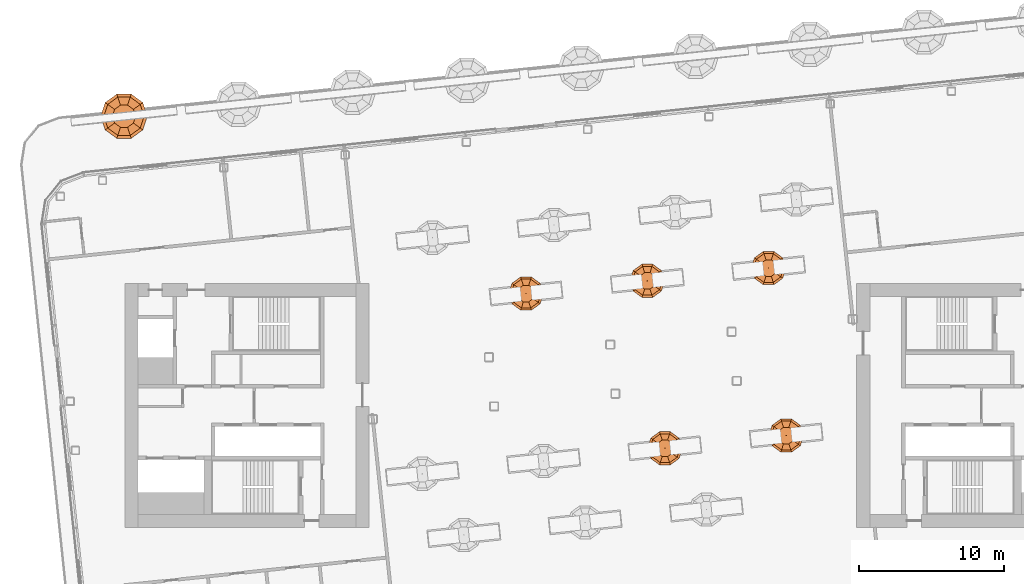
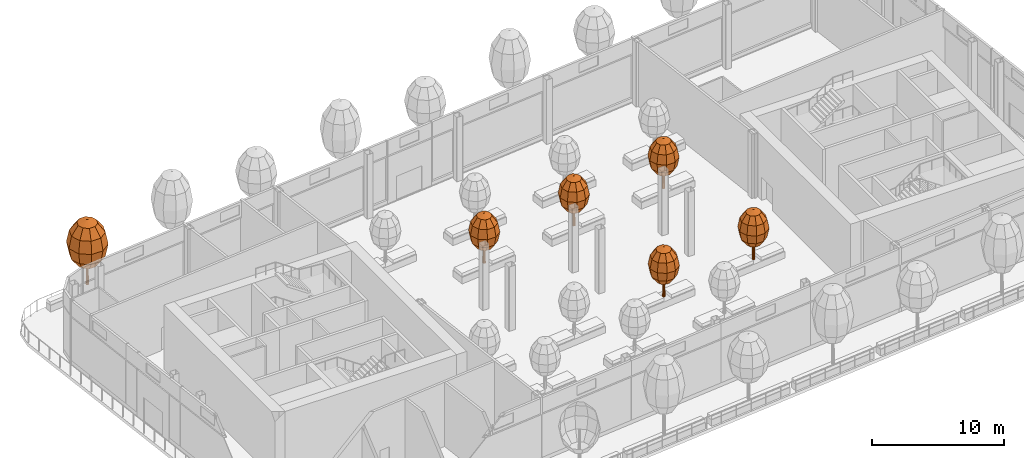
# One storey, part 39 of 42: 6 geographic elements.
"""IFC4 building model written with IfcOpenShell, lengths in metres."""

from ifc_helpers import new_model, si_unit, direction, frame, origin, place, context, subcontext, project, spatial, triangles, material, type_object, element, save


model = new_model("IFC4")

# Units and contexts
model_context = context("Model", 3, precision=1e-05, world=origin(), true_north=direction((0.0, 1.0)))
body_context = subcontext(model_context, "Body", "Model", "MODEL_VIEW")
ifc_project = project(units=[si_unit("LENGTHUNIT", "METRE"), si_unit("AREAUNIT", "SQUARE_METRE"), si_unit("VOLUMEUNIT", "CUBIC_METRE"), si_unit("PLANEANGLEUNIT", "RADIAN"), si_unit("MASSUNIT", "GRAM", prefix="KILO")], contexts=[model_context])

# Site, building, storey
site_placement = place(None, origin())
site = spatial("IfcSite", under=ifc_project, at=site_placement, CompositionType="ELEMENT")
building_placement = place(site_placement, origin())
building = spatial("IfcBuilding", under=site, at=building_placement, Name="Hakoniwa Tower and Hamabe Station Hall", CompositionType="ELEMENT")
storey_placement = place(building_placement, frame((0.0, 0.0, 232.60009765625)))
storey = spatial("IfcBuildingStorey", under=building, at=storey_placement, Name="L66", CompositionType="ELEMENT", Elevation=232.60009765625)

# Geographic elements
ifc_material_1 = material(Name="Tree foliage")
geographic_element_type_1 = type_object("IfcGeographicElementType", Name="Camellia 4.6 m", PredefinedType="USERDEFINED", material=ifc_material_1)
geographic_element_1_placement = place(storey_placement, frame((-5.9765625, 7.703857421875, 0.599853515625)))
element("IfcGeographicElement", 1, at=geographic_element_1_placement, inside=storey, type_object=geographic_element_type_1, Name="Camellia 4-6 m", ObjectType="TREE", PredefinedType="USERDEFINED", context=body_context, shape_type="Tessellation", body=[
    triangles([(0.125, 0.0, 0.0), (0.08837890625, 0.08837890625, 0.0), (0.0, 0.125, 0.0), (-0.08837890625, 0.08837890625, 0.0), (-0.125, 0.0, 0.0), (-0.08837890625, -0.08837890625, 0.0), (0.0, -0.125, 0.0), (0.08837890625, -0.08837890625, 0.0), (0.074951171875, 0.0, 2.778564453125), (0.052978515625, 0.052978515625, 2.778564453125), (0.0, 0.074951171875, 2.778564453125), (-0.052978515625, 0.052978515625, 2.778564453125), (-0.074951171875, 0.0, 2.778564453125), (-0.052978515625, -0.052978515625, 2.778564453125), (0.0, -0.074951171875, 2.778564453125), (0.052978515625, -0.052978515625, 2.778564453125), (0.0, 0.0, 0.0), (0.0, 0.0, 2.778564453125)], [[1, 2, 10], [1, 10, 9], [17, 2, 1], [18, 9, 10], [2, 3, 11], [2, 11, 10], [17, 3, 2], [18, 10, 11], [3, 4, 12], [3, 12, 11], [17, 4, 3], [18, 11, 12], [4, 5, 13], [4, 13, 12], [17, 5, 4], [18, 12, 13], [5, 6, 14], [5, 14, 13], [17, 6, 5], [18, 13, 14], [6, 7, 15], [6, 15, 14], [17, 7, 6], [18, 14, 15], [7, 8, 16], [7, 16, 15], [17, 8, 7], [18, 15, 16], [8, 1, 9], [8, 9, 16], [17, 1, 8], [18, 16, 9]], closed=True),
    triangles([(0.0, 0.0, 1.2880859375), (0.599853515625, 0.0, 1.510009765625), (0.4853515625, 0.3525390625, 1.510009765625), (0.185302734375, 0.570556640625, 1.510009765625), (-0.185302734375, 0.570556640625, 1.510009765625), (-0.4853515625, 0.3525390625, 1.510009765625), (-0.599853515625, 0.0, 1.510009765625), (-0.4853515625, -0.3525390625, 1.510009765625), (-0.185302734375, -0.570556640625, 1.510009765625), (0.185302734375, -0.570556640625, 1.510009765625), (0.4853515625, -0.3525390625, 1.510009765625), (1.039306640625, 0.0, 2.115966796875), (0.8408203125, 0.61083984375, 2.115966796875), (0.321044921875, 0.98828125, 2.115966796875), (-0.321044921875, 0.98828125, 2.115966796875), (-0.8408203125, 0.61083984375, 2.115966796875), (-1.039306640625, 0.0, 2.115966796875), (-0.8408203125, -0.61083984375, 2.115966796875), (-0.321044921875, -0.98828125, 2.115966796875), (0.321044921875, -0.98828125, 2.115966796875), (0.8408203125, -0.61083984375, 2.115966796875), (1.199951171875, 0.0, 2.944091796875), (0.970703125, 0.705322265625, 2.944091796875), (0.370849609375, 1.14111328125, 2.944091796875), (-0.370849609375, 1.14111328125, 2.944091796875), (-0.970703125, 0.705322265625, 2.944091796875), (-1.199951171875, 0.0, 2.944091796875), (-0.970703125, -0.705322265625, 2.944091796875), (-0.370849609375, -1.14111328125, 2.944091796875), (0.370849609375, -1.14111328125, 2.944091796875), (0.970703125, -0.705322265625, 2.944091796875), (1.039306640625, 0.0, 3.77197265625), (0.8408203125, 0.61083984375, 3.77197265625), (0.321044921875, 0.98828125, 3.77197265625), (-0.321044921875, 0.98828125, 3.77197265625), (-0.8408203125, 0.61083984375, 3.77197265625), (-1.039306640625, 0.0, 3.77197265625), (-0.8408203125, -0.61083984375, 3.77197265625), (-0.321044921875, -0.98828125, 3.77197265625), (0.321044921875, -0.98828125, 3.77197265625), (0.8408203125, -0.61083984375, 3.77197265625), (0.599853515625, 0.0, 4.378173828125), (0.4853515625, 0.3525390625, 4.378173828125), (0.185302734375, 0.570556640625, 4.378173828125), (-0.185302734375, 0.570556640625, 4.378173828125), (-0.4853515625, 0.3525390625, 4.378173828125), (-0.599853515625, 0.0, 4.378173828125), (-0.4853515625, -0.3525390625, 4.378173828125), (-0.185302734375, -0.570556640625, 4.378173828125), (0.185302734375, -0.570556640625, 4.378173828125), (0.4853515625, -0.3525390625, 4.378173828125), (0.0, 0.0, 4.60009765625)], [[1, 3, 2], [1, 4, 3], [1, 5, 4], [1, 6, 5], [1, 7, 6], [1, 8, 7], [1, 9, 8], [1, 10, 9], [1, 11, 10], [1, 2, 11], [2, 3, 13], [2, 13, 12], [3, 4, 14], [3, 14, 13], [4, 5, 15], [4, 15, 14], [5, 6, 16], [5, 16, 15], [6, 7, 17], [6, 17, 16], [7, 8, 18], [7, 18, 17], [8, 9, 19], [8, 19, 18], [9, 10, 20], [9, 20, 19], [10, 11, 21], [10, 21, 20], [11, 2, 12], [11, 12, 21], [12, 13, 23], [12, 23, 22], [13, 14, 24], [13, 24, 23], [14, 15, 25], [14, 25, 24], [15, 16, 26], [15, 26, 25], [16, 17, 27], [16, 27, 26], [17, 18, 28], [17, 28, 27], [18, 19, 29], [18, 29, 28], [19, 20, 30], [19, 30, 29], [20, 21, 31], [20, 31, 30], [21, 12, 22], [21, 22, 31], [22, 23, 33], [22, 33, 32], [23, 24, 34], [23, 34, 33], [24, 25, 35], [24, 35, 34], [25, 26, 36], [25, 36, 35], [26, 27, 37], [26, 37, 36], [27, 28, 38], [27, 38, 37], [28, 29, 39], [28, 39, 38], [29, 30, 40], [29, 40, 39], [30, 31, 41], [30, 41, 40], [31, 22, 32], [31, 32, 41], [32, 33, 43], [32, 43, 42], [33, 34, 44], [33, 44, 43], [34, 35, 45], [34, 45, 44], [35, 36, 46], [35, 46, 45], [36, 37, 47], [36, 47, 46], [37, 38, 48], [37, 48, 47], [38, 39, 49], [38, 49, 48], [39, 40, 50], [39, 50, 49], [40, 41, 51], [40, 51, 50], [41, 32, 42], [41, 42, 51], [52, 42, 43], [52, 43, 44], [52, 44, 45], [52, 45, 46], [52, 46, 47], [52, 47, 48], [52, 48, 49], [52, 49, 50], [52, 50, 51], [52, 51, 42]], closed=True),
])
geographic_element_2_placement = place(storey_placement, frame((2.377197265625, 8.581787109375, 0.599853515625)))
element("IfcGeographicElement", 2, at=geographic_element_2_placement, inside=storey, type_object=geographic_element_type_1, Name="Camellia 4-6 m", ObjectType="TREE", PredefinedType="USERDEFINED", context=body_context, shape_type="Tessellation", body=[
    triangles([(0.125, 0.0, 0.0), (0.08837890625, 0.08837890625, 0.0), (0.0, 0.125, 0.0), (-0.08837890625, 0.08837890625, 0.0), (-0.125, 0.0, 0.0), (-0.08837890625, -0.08837890625, 0.0), (0.0, -0.125, 0.0), (0.08837890625, -0.08837890625, 0.0), (0.074951171875, 0.0, 2.778564453125), (0.052978515625, 0.052978515625, 2.778564453125), (0.0, 0.074951171875, 2.778564453125), (-0.052978515625, 0.052978515625, 2.778564453125), (-0.074951171875, 0.0, 2.778564453125), (-0.052978515625, -0.052978515625, 2.778564453125), (0.0, -0.074951171875, 2.778564453125), (0.052978515625, -0.052978515625, 2.778564453125), (0.0, 0.0, 0.0), (0.0, 0.0, 2.778564453125)], [[1, 2, 10], [1, 10, 9], [17, 2, 1], [18, 9, 10], [2, 3, 11], [2, 11, 10], [17, 3, 2], [18, 10, 11], [3, 4, 12], [3, 12, 11], [17, 4, 3], [18, 11, 12], [4, 5, 13], [4, 13, 12], [17, 5, 4], [18, 12, 13], [5, 6, 14], [5, 14, 13], [17, 6, 5], [18, 13, 14], [6, 7, 15], [6, 15, 14], [17, 7, 6], [18, 14, 15], [7, 8, 16], [7, 16, 15], [17, 8, 7], [18, 15, 16], [8, 1, 9], [8, 9, 16], [17, 1, 8], [18, 16, 9]], closed=True),
    triangles([(0.0, 0.0, 1.2880859375), (0.599853515625, 0.0, 1.510009765625), (0.4853515625, 0.3525390625, 1.510009765625), (0.185302734375, 0.570556640625, 1.510009765625), (-0.185302734375, 0.570556640625, 1.510009765625), (-0.4853515625, 0.3525390625, 1.510009765625), (-0.599853515625, 0.0, 1.510009765625), (-0.4853515625, -0.3525390625, 1.510009765625), (-0.185302734375, -0.570556640625, 1.510009765625), (0.185302734375, -0.570556640625, 1.510009765625), (0.4853515625, -0.3525390625, 1.510009765625), (1.039306640625, 0.0, 2.115966796875), (0.8408203125, 0.61083984375, 2.115966796875), (0.321044921875, 0.98828125, 2.115966796875), (-0.321044921875, 0.98828125, 2.115966796875), (-0.8408203125, 0.61083984375, 2.115966796875), (-1.039306640625, 0.0, 2.115966796875), (-0.8408203125, -0.61083984375, 2.115966796875), (-0.321044921875, -0.98828125, 2.115966796875), (0.321044921875, -0.98828125, 2.115966796875), (0.8408203125, -0.61083984375, 2.115966796875), (1.199951171875, 0.0, 2.944091796875), (0.970703125, 0.705322265625, 2.944091796875), (0.370849609375, 1.14111328125, 2.944091796875), (-0.370849609375, 1.14111328125, 2.944091796875), (-0.970703125, 0.705322265625, 2.944091796875), (-1.199951171875, 0.0, 2.944091796875), (-0.970703125, -0.705322265625, 2.944091796875), (-0.370849609375, -1.14111328125, 2.944091796875), (0.370849609375, -1.14111328125, 2.944091796875), (0.970703125, -0.705322265625, 2.944091796875), (1.039306640625, 0.0, 3.77197265625), (0.8408203125, 0.61083984375, 3.77197265625), (0.321044921875, 0.98828125, 3.77197265625), (-0.321044921875, 0.98828125, 3.77197265625), (-0.8408203125, 0.61083984375, 3.77197265625), (-1.039306640625, 0.0, 3.77197265625), (-0.8408203125, -0.61083984375, 3.77197265625), (-0.321044921875, -0.98828125, 3.77197265625), (0.321044921875, -0.98828125, 3.77197265625), (0.8408203125, -0.61083984375, 3.77197265625), (0.599853515625, 0.0, 4.378173828125), (0.4853515625, 0.3525390625, 4.378173828125), (0.185302734375, 0.570556640625, 4.378173828125), (-0.185302734375, 0.570556640625, 4.378173828125), (-0.4853515625, 0.3525390625, 4.378173828125), (-0.599853515625, 0.0, 4.378173828125), (-0.4853515625, -0.3525390625, 4.378173828125), (-0.185302734375, -0.570556640625, 4.378173828125), (0.185302734375, -0.570556640625, 4.378173828125), (0.4853515625, -0.3525390625, 4.378173828125), (0.0, 0.0, 4.60009765625)], [[1, 3, 2], [1, 4, 3], [1, 5, 4], [1, 6, 5], [1, 7, 6], [1, 8, 7], [1, 9, 8], [1, 10, 9], [1, 11, 10], [1, 2, 11], [2, 3, 13], [2, 13, 12], [3, 4, 14], [3, 14, 13], [4, 5, 15], [4, 15, 14], [5, 6, 16], [5, 16, 15], [6, 7, 17], [6, 17, 16], [7, 8, 18], [7, 18, 17], [8, 9, 19], [8, 19, 18], [9, 10, 20], [9, 20, 19], [10, 11, 21], [10, 21, 20], [11, 2, 12], [11, 12, 21], [12, 13, 23], [12, 23, 22], [13, 14, 24], [13, 24, 23], [14, 15, 25], [14, 25, 24], [15, 16, 26], [15, 26, 25], [16, 17, 27], [16, 27, 26], [17, 18, 28], [17, 28, 27], [18, 19, 29], [18, 29, 28], [19, 20, 30], [19, 30, 29], [20, 21, 31], [20, 31, 30], [21, 12, 22], [21, 22, 31], [22, 23, 33], [22, 33, 32], [23, 24, 34], [23, 34, 33], [24, 25, 35], [24, 35, 34], [25, 26, 36], [25, 36, 35], [26, 27, 37], [26, 37, 36], [27, 28, 38], [27, 38, 37], [28, 29, 39], [28, 39, 38], [29, 30, 40], [29, 40, 39], [30, 31, 41], [30, 41, 40], [31, 22, 32], [31, 32, 41], [32, 33, 43], [32, 43, 42], [33, 34, 44], [33, 44, 43], [34, 35, 45], [34, 45, 44], [35, 36, 46], [35, 46, 45], [36, 37, 47], [36, 47, 46], [37, 38, 48], [37, 48, 47], [38, 39, 49], [38, 49, 48], [39, 40, 50], [39, 50, 49], [40, 41, 51], [40, 51, 50], [41, 32, 42], [41, 42, 51], [52, 42, 43], [52, 43, 44], [52, 44, 45], [52, 45, 46], [52, 46, 47], [52, 47, 48], [52, 48, 49], [52, 49, 50], [52, 50, 51], [52, 51, 42]], closed=True),
])
geographic_element_3_placement = place(storey_placement, frame((10.731201171875, 9.4599609375, 0.599853515625)))
element("IfcGeographicElement", 3, at=geographic_element_3_placement, inside=storey, type_object=geographic_element_type_1, Name="Camellia 4-6 m", ObjectType="TREE", PredefinedType="USERDEFINED", context=body_context, shape_type="Tessellation", body=[
    triangles([(0.125, 0.0, 0.0), (0.08837890625, 0.08837890625, 0.0), (0.0, 0.125, 0.0), (-0.08837890625, 0.08837890625, 0.0), (-0.125, 0.0, 0.0), (-0.08837890625, -0.08837890625, 0.0), (0.0, -0.125, 0.0), (0.08837890625, -0.08837890625, 0.0), (0.074951171875, 0.0, 2.778564453125), (0.052978515625, 0.052978515625, 2.778564453125), (0.0, 0.074951171875, 2.778564453125), (-0.052978515625, 0.052978515625, 2.778564453125), (-0.074951171875, 0.0, 2.778564453125), (-0.052978515625, -0.052978515625, 2.778564453125), (0.0, -0.074951171875, 2.778564453125), (0.052978515625, -0.052978515625, 2.778564453125), (0.0, 0.0, 0.0), (0.0, 0.0, 2.778564453125)], [[1, 2, 10], [1, 10, 9], [17, 2, 1], [18, 9, 10], [2, 3, 11], [2, 11, 10], [17, 3, 2], [18, 10, 11], [3, 4, 12], [3, 12, 11], [17, 4, 3], [18, 11, 12], [4, 5, 13], [4, 13, 12], [17, 5, 4], [18, 12, 13], [5, 6, 14], [5, 14, 13], [17, 6, 5], [18, 13, 14], [6, 7, 15], [6, 15, 14], [17, 7, 6], [18, 14, 15], [7, 8, 16], [7, 16, 15], [17, 8, 7], [18, 15, 16], [8, 1, 9], [8, 9, 16], [17, 1, 8], [18, 16, 9]], closed=True),
    triangles([(0.0, 0.0, 1.2880859375), (0.599853515625, 0.0, 1.510009765625), (0.4853515625, 0.3525390625, 1.510009765625), (0.185302734375, 0.570556640625, 1.510009765625), (-0.185302734375, 0.570556640625, 1.510009765625), (-0.4853515625, 0.3525390625, 1.510009765625), (-0.599853515625, 0.0, 1.510009765625), (-0.4853515625, -0.3525390625, 1.510009765625), (-0.185302734375, -0.570556640625, 1.510009765625), (0.185302734375, -0.570556640625, 1.510009765625), (0.4853515625, -0.3525390625, 1.510009765625), (1.039306640625, 0.0, 2.115966796875), (0.8408203125, 0.61083984375, 2.115966796875), (0.321044921875, 0.98828125, 2.115966796875), (-0.321044921875, 0.98828125, 2.115966796875), (-0.8408203125, 0.61083984375, 2.115966796875), (-1.039306640625, 0.0, 2.115966796875), (-0.8408203125, -0.61083984375, 2.115966796875), (-0.321044921875, -0.98828125, 2.115966796875), (0.321044921875, -0.98828125, 2.115966796875), (0.8408203125, -0.61083984375, 2.115966796875), (1.199951171875, 0.0, 2.944091796875), (0.970703125, 0.705322265625, 2.944091796875), (0.370849609375, 1.14111328125, 2.944091796875), (-0.370849609375, 1.14111328125, 2.944091796875), (-0.970703125, 0.705322265625, 2.944091796875), (-1.199951171875, 0.0, 2.944091796875), (-0.970703125, -0.705322265625, 2.944091796875), (-0.370849609375, -1.14111328125, 2.944091796875), (0.370849609375, -1.14111328125, 2.944091796875), (0.970703125, -0.705322265625, 2.944091796875), (1.039306640625, 0.0, 3.77197265625), (0.8408203125, 0.61083984375, 3.77197265625), (0.321044921875, 0.98828125, 3.77197265625), (-0.321044921875, 0.98828125, 3.77197265625), (-0.8408203125, 0.61083984375, 3.77197265625), (-1.039306640625, 0.0, 3.77197265625), (-0.8408203125, -0.61083984375, 3.77197265625), (-0.321044921875, -0.98828125, 3.77197265625), (0.321044921875, -0.98828125, 3.77197265625), (0.8408203125, -0.61083984375, 3.77197265625), (0.599853515625, 0.0, 4.378173828125), (0.4853515625, 0.3525390625, 4.378173828125), (0.185302734375, 0.570556640625, 4.378173828125), (-0.185302734375, 0.570556640625, 4.378173828125), (-0.4853515625, 0.3525390625, 4.378173828125), (-0.599853515625, 0.0, 4.378173828125), (-0.4853515625, -0.3525390625, 4.378173828125), (-0.185302734375, -0.570556640625, 4.378173828125), (0.185302734375, -0.570556640625, 4.378173828125), (0.4853515625, -0.3525390625, 4.378173828125), (0.0, 0.0, 4.60009765625)], [[1, 3, 2], [1, 4, 3], [1, 5, 4], [1, 6, 5], [1, 7, 6], [1, 8, 7], [1, 9, 8], [1, 10, 9], [1, 11, 10], [1, 2, 11], [2, 3, 13], [2, 13, 12], [3, 4, 14], [3, 14, 13], [4, 5, 15], [4, 15, 14], [5, 6, 16], [5, 16, 15], [6, 7, 17], [6, 17, 16], [7, 8, 18], [7, 18, 17], [8, 9, 19], [8, 19, 18], [9, 10, 20], [9, 20, 19], [10, 11, 21], [10, 21, 20], [11, 2, 12], [11, 12, 21], [12, 13, 23], [12, 23, 22], [13, 14, 24], [13, 24, 23], [14, 15, 25], [14, 25, 24], [15, 16, 26], [15, 26, 25], [16, 17, 27], [16, 27, 26], [17, 18, 28], [17, 28, 27], [18, 19, 29], [18, 29, 28], [19, 20, 30], [19, 30, 29], [20, 21, 31], [20, 31, 30], [21, 12, 22], [21, 22, 31], [22, 23, 33], [22, 33, 32], [23, 24, 34], [23, 34, 33], [24, 25, 35], [24, 35, 34], [25, 26, 36], [25, 36, 35], [26, 27, 37], [26, 37, 36], [27, 28, 38], [27, 38, 37], [28, 29, 39], [28, 39, 38], [29, 30, 40], [29, 40, 39], [30, 31, 41], [30, 41, 40], [31, 22, 32], [31, 32, 41], [32, 33, 43], [32, 43, 42], [33, 34, 44], [33, 44, 43], [34, 35, 45], [34, 45, 44], [35, 36, 46], [35, 46, 45], [36, 37, 47], [36, 47, 46], [37, 38, 48], [37, 48, 47], [38, 39, 49], [38, 49, 48], [39, 40, 50], [39, 50, 49], [40, 41, 51], [40, 51, 50], [41, 32, 42], [41, 42, 51], [52, 42, 43], [52, 43, 44], [52, 44, 45], [52, 45, 46], [52, 46, 47], [52, 47, 48], [52, 48, 49], [52, 49, 50], [52, 50, 51], [52, 51, 42]], closed=True),
])
geographic_element_4_placement = place(storey_placement, frame((3.58984375, -2.95458984375, 0.599853515625)))
element("IfcGeographicElement", 4, at=geographic_element_4_placement, inside=storey, type_object=geographic_element_type_1, Name="Camellia 4-6 m", ObjectType="TREE", PredefinedType="USERDEFINED", context=body_context, shape_type="Tessellation", body=[
    triangles([(0.125, 0.0, 0.0), (0.08837890625, 0.08837890625, 0.0), (0.0, 0.125, 0.0), (-0.08837890625, 0.08837890625, 0.0), (-0.125, 0.0, 0.0), (-0.08837890625, -0.08837890625, 0.0), (0.0, -0.125, 0.0), (0.08837890625, -0.08837890625, 0.0), (0.074951171875, 0.0, 2.778564453125), (0.052978515625, 0.052978515625, 2.778564453125), (0.0, 0.074951171875, 2.778564453125), (-0.052978515625, 0.052978515625, 2.778564453125), (-0.074951171875, 0.0, 2.778564453125), (-0.052978515625, -0.052978515625, 2.778564453125), (0.0, -0.074951171875, 2.778564453125), (0.052978515625, -0.052978515625, 2.778564453125), (0.0, 0.0, 0.0), (0.0, 0.0, 2.778564453125)], [[1, 2, 10], [1, 10, 9], [17, 2, 1], [18, 9, 10], [2, 3, 11], [2, 11, 10], [17, 3, 2], [18, 10, 11], [3, 4, 12], [3, 12, 11], [17, 4, 3], [18, 11, 12], [4, 5, 13], [4, 13, 12], [17, 5, 4], [18, 12, 13], [5, 6, 14], [5, 14, 13], [17, 6, 5], [18, 13, 14], [6, 7, 15], [6, 15, 14], [17, 7, 6], [18, 14, 15], [7, 8, 16], [7, 16, 15], [17, 8, 7], [18, 15, 16], [8, 1, 9], [8, 9, 16], [17, 1, 8], [18, 16, 9]], closed=True),
    triangles([(0.0, 0.0, 1.2880859375), (0.599853515625, 0.0, 1.510009765625), (0.4853515625, 0.3525390625, 1.510009765625), (0.185302734375, 0.570556640625, 1.510009765625), (-0.185302734375, 0.570556640625, 1.510009765625), (-0.4853515625, 0.3525390625, 1.510009765625), (-0.599853515625, 0.0, 1.510009765625), (-0.4853515625, -0.3525390625, 1.510009765625), (-0.185302734375, -0.570556640625, 1.510009765625), (0.185302734375, -0.570556640625, 1.510009765625), (0.4853515625, -0.3525390625, 1.510009765625), (1.039306640625, 0.0, 2.115966796875), (0.8408203125, 0.61083984375, 2.115966796875), (0.321044921875, 0.98828125, 2.115966796875), (-0.321044921875, 0.98828125, 2.115966796875), (-0.8408203125, 0.61083984375, 2.115966796875), (-1.039306640625, 0.0, 2.115966796875), (-0.8408203125, -0.61083984375, 2.115966796875), (-0.321044921875, -0.98828125, 2.115966796875), (0.321044921875, -0.98828125, 2.115966796875), (0.8408203125, -0.61083984375, 2.115966796875), (1.199951171875, 0.0, 2.944091796875), (0.970703125, 0.705322265625, 2.944091796875), (0.370849609375, 1.14111328125, 2.944091796875), (-0.370849609375, 1.14111328125, 2.944091796875), (-0.970703125, 0.705322265625, 2.944091796875), (-1.199951171875, 0.0, 2.944091796875), (-0.970703125, -0.705322265625, 2.944091796875), (-0.370849609375, -1.14111328125, 2.944091796875), (0.370849609375, -1.14111328125, 2.944091796875), (0.970703125, -0.705322265625, 2.944091796875), (1.039306640625, 0.0, 3.77197265625), (0.8408203125, 0.61083984375, 3.77197265625), (0.321044921875, 0.98828125, 3.77197265625), (-0.321044921875, 0.98828125, 3.77197265625), (-0.8408203125, 0.61083984375, 3.77197265625), (-1.039306640625, 0.0, 3.77197265625), (-0.8408203125, -0.61083984375, 3.77197265625), (-0.321044921875, -0.98828125, 3.77197265625), (0.321044921875, -0.98828125, 3.77197265625), (0.8408203125, -0.61083984375, 3.77197265625), (0.599853515625, 0.0, 4.378173828125), (0.4853515625, 0.3525390625, 4.378173828125), (0.185302734375, 0.570556640625, 4.378173828125), (-0.185302734375, 0.570556640625, 4.378173828125), (-0.4853515625, 0.3525390625, 4.378173828125), (-0.599853515625, 0.0, 4.378173828125), (-0.4853515625, -0.3525390625, 4.378173828125), (-0.185302734375, -0.570556640625, 4.378173828125), (0.185302734375, -0.570556640625, 4.378173828125), (0.4853515625, -0.3525390625, 4.378173828125), (0.0, 0.0, 4.60009765625)], [[1, 3, 2], [1, 4, 3], [1, 5, 4], [1, 6, 5], [1, 7, 6], [1, 8, 7], [1, 9, 8], [1, 10, 9], [1, 11, 10], [1, 2, 11], [2, 3, 13], [2, 13, 12], [3, 4, 14], [3, 14, 13], [4, 5, 15], [4, 15, 14], [5, 6, 16], [5, 16, 15], [6, 7, 17], [6, 17, 16], [7, 8, 18], [7, 18, 17], [8, 9, 19], [8, 19, 18], [9, 10, 20], [9, 20, 19], [10, 11, 21], [10, 21, 20], [11, 2, 12], [11, 12, 21], [12, 13, 23], [12, 23, 22], [13, 14, 24], [13, 24, 23], [14, 15, 25], [14, 25, 24], [15, 16, 26], [15, 26, 25], [16, 17, 27], [16, 27, 26], [17, 18, 28], [17, 28, 27], [18, 19, 29], [18, 29, 28], [19, 20, 30], [19, 30, 29], [20, 21, 31], [20, 31, 30], [21, 12, 22], [21, 22, 31], [22, 23, 33], [22, 33, 32], [23, 24, 34], [23, 34, 33], [24, 25, 35], [24, 35, 34], [25, 26, 36], [25, 36, 35], [26, 27, 37], [26, 37, 36], [27, 28, 38], [27, 38, 37], [28, 29, 39], [28, 39, 38], [29, 30, 40], [29, 40, 39], [30, 31, 41], [30, 41, 40], [31, 22, 32], [31, 32, 41], [32, 33, 43], [32, 43, 42], [33, 34, 44], [33, 44, 43], [34, 35, 45], [34, 45, 44], [35, 36, 46], [35, 46, 45], [36, 37, 47], [36, 47, 46], [37, 38, 48], [37, 48, 47], [38, 39, 49], [38, 49, 48], [39, 40, 50], [39, 50, 49], [40, 41, 51], [40, 51, 50], [41, 32, 42], [41, 42, 51], [52, 42, 43], [52, 43, 44], [52, 44, 45], [52, 45, 46], [52, 46, 47], [52, 47, 48], [52, 48, 49], [52, 49, 50], [52, 50, 51], [52, 51, 42]], closed=True),
])
geographic_element_5_placement = place(storey_placement, frame((11.94384765625, -2.07666015625, 0.599853515625)))
element("IfcGeographicElement", 5, at=geographic_element_5_placement, inside=storey, type_object=geographic_element_type_1, Name="Camellia 4-6 m", ObjectType="TREE", PredefinedType="USERDEFINED", context=body_context, shape_type="Tessellation", body=[
    triangles([(0.125, 0.0, 0.0), (0.08837890625, 0.08837890625, 0.0), (0.0, 0.125, 0.0), (-0.08837890625, 0.08837890625, 0.0), (-0.125, 0.0, 0.0), (-0.08837890625, -0.08837890625, 0.0), (0.0, -0.125, 0.0), (0.08837890625, -0.08837890625, 0.0), (0.074951171875, 0.0, 2.778564453125), (0.052978515625, 0.052978515625, 2.778564453125), (0.0, 0.074951171875, 2.778564453125), (-0.052978515625, 0.052978515625, 2.778564453125), (-0.074951171875, 0.0, 2.778564453125), (-0.052978515625, -0.052978515625, 2.778564453125), (0.0, -0.074951171875, 2.778564453125), (0.052978515625, -0.052978515625, 2.778564453125), (0.0, 0.0, 0.0), (0.0, 0.0, 2.778564453125)], [[1, 2, 10], [1, 10, 9], [17, 2, 1], [18, 9, 10], [2, 3, 11], [2, 11, 10], [17, 3, 2], [18, 10, 11], [3, 4, 12], [3, 12, 11], [17, 4, 3], [18, 11, 12], [4, 5, 13], [4, 13, 12], [17, 5, 4], [18, 12, 13], [5, 6, 14], [5, 14, 13], [17, 6, 5], [18, 13, 14], [6, 7, 15], [6, 15, 14], [17, 7, 6], [18, 14, 15], [7, 8, 16], [7, 16, 15], [17, 8, 7], [18, 15, 16], [8, 1, 9], [8, 9, 16], [17, 1, 8], [18, 16, 9]], closed=True),
    triangles([(0.0, 0.0, 1.2880859375), (0.599853515625, 0.0, 1.510009765625), (0.4853515625, 0.3525390625, 1.510009765625), (0.185302734375, 0.570556640625, 1.510009765625), (-0.185302734375, 0.570556640625, 1.510009765625), (-0.4853515625, 0.3525390625, 1.510009765625), (-0.599853515625, 0.0, 1.510009765625), (-0.4853515625, -0.3525390625, 1.510009765625), (-0.185302734375, -0.570556640625, 1.510009765625), (0.185302734375, -0.570556640625, 1.510009765625), (0.4853515625, -0.3525390625, 1.510009765625), (1.039306640625, 0.0, 2.115966796875), (0.8408203125, 0.61083984375, 2.115966796875), (0.321044921875, 0.98828125, 2.115966796875), (-0.321044921875, 0.98828125, 2.115966796875), (-0.8408203125, 0.61083984375, 2.115966796875), (-1.039306640625, 0.0, 2.115966796875), (-0.8408203125, -0.61083984375, 2.115966796875), (-0.321044921875, -0.98828125, 2.115966796875), (0.321044921875, -0.98828125, 2.115966796875), (0.8408203125, -0.61083984375, 2.115966796875), (1.199951171875, 0.0, 2.944091796875), (0.970703125, 0.705322265625, 2.944091796875), (0.370849609375, 1.14111328125, 2.944091796875), (-0.370849609375, 1.14111328125, 2.944091796875), (-0.970703125, 0.705322265625, 2.944091796875), (-1.199951171875, 0.0, 2.944091796875), (-0.970703125, -0.705322265625, 2.944091796875), (-0.370849609375, -1.14111328125, 2.944091796875), (0.370849609375, -1.14111328125, 2.944091796875), (0.970703125, -0.705322265625, 2.944091796875), (1.039306640625, 0.0, 3.77197265625), (0.8408203125, 0.61083984375, 3.77197265625), (0.321044921875, 0.98828125, 3.77197265625), (-0.321044921875, 0.98828125, 3.77197265625), (-0.8408203125, 0.61083984375, 3.77197265625), (-1.039306640625, 0.0, 3.77197265625), (-0.8408203125, -0.61083984375, 3.77197265625), (-0.321044921875, -0.98828125, 3.77197265625), (0.321044921875, -0.98828125, 3.77197265625), (0.8408203125, -0.61083984375, 3.77197265625), (0.599853515625, 0.0, 4.378173828125), (0.4853515625, 0.3525390625, 4.378173828125), (0.185302734375, 0.570556640625, 4.378173828125), (-0.185302734375, 0.570556640625, 4.378173828125), (-0.4853515625, 0.3525390625, 4.378173828125), (-0.599853515625, 0.0, 4.378173828125), (-0.4853515625, -0.3525390625, 4.378173828125), (-0.185302734375, -0.570556640625, 4.378173828125), (0.185302734375, -0.570556640625, 4.378173828125), (0.4853515625, -0.3525390625, 4.378173828125), (0.0, 0.0, 4.60009765625)], [[1, 3, 2], [1, 4, 3], [1, 5, 4], [1, 6, 5], [1, 7, 6], [1, 8, 7], [1, 9, 8], [1, 10, 9], [1, 11, 10], [1, 2, 11], [2, 3, 13], [2, 13, 12], [3, 4, 14], [3, 14, 13], [4, 5, 15], [4, 15, 14], [5, 6, 16], [5, 16, 15], [6, 7, 17], [6, 17, 16], [7, 8, 18], [7, 18, 17], [8, 9, 19], [8, 19, 18], [9, 10, 20], [9, 20, 19], [10, 11, 21], [10, 21, 20], [11, 2, 12], [11, 12, 21], [12, 13, 23], [12, 23, 22], [13, 14, 24], [13, 24, 23], [14, 15, 25], [14, 25, 24], [15, 16, 26], [15, 26, 25], [16, 17, 27], [16, 27, 26], [17, 18, 28], [17, 28, 27], [18, 19, 29], [18, 29, 28], [19, 20, 30], [19, 30, 29], [20, 21, 31], [20, 31, 30], [21, 12, 22], [21, 22, 31], [22, 23, 33], [22, 33, 32], [23, 24, 34], [23, 34, 33], [24, 25, 35], [24, 35, 34], [25, 26, 36], [25, 36, 35], [26, 27, 37], [26, 37, 36], [27, 28, 38], [27, 38, 37], [28, 29, 39], [28, 39, 38], [29, 30, 40], [29, 40, 39], [30, 31, 41], [30, 41, 40], [31, 22, 32], [31, 32, 41], [32, 33, 43], [32, 43, 42], [33, 34, 44], [33, 44, 43], [34, 35, 45], [34, 45, 44], [35, 36, 46], [35, 46, 45], [36, 37, 47], [36, 47, 46], [37, 38, 48], [37, 48, 47], [38, 39, 49], [38, 49, 48], [39, 40, 50], [39, 50, 49], [40, 41, 51], [40, 51, 50], [41, 32, 42], [41, 42, 51], [52, 42, 43], [52, 43, 44], [52, 44, 45], [52, 45, 46], [52, 46, 47], [52, 47, 48], [52, 48, 49], [52, 49, 50], [52, 50, 51], [52, 51, 42]], closed=True),
])
ifc_material_2 = material(Name="Tree foliage")
geographic_element_type_2 = type_object("IfcGeographicElementType", Name="Osmanthus 6.0 m", PredefinedType="USERDEFINED", material=ifc_material_2)
geographic_element_6_placement = place(storey_placement, frame((-33.668701171875, 19.91748046875, 0.89990234375)))
element("IfcGeographicElement", 6, at=geographic_element_6_placement, inside=storey, type_object=geographic_element_type_2, Name="Osmanthus 6-0 m", ObjectType="TREE", PredefinedType="USERDEFINED", context=body_context, shape_type="Tessellation", body=[
    triangles([(0.125, 0.0, 0.0), (0.08837890625, 0.08837890625, 0.0), (0.0, 0.125, 0.0), (-0.08837890625, 0.08837890625, 0.0), (-0.125, 0.0, 0.0), (-0.08837890625, -0.08837890625, 0.0), (0.0, -0.125, 0.0), (0.08837890625, -0.08837890625, 0.0), (0.074951171875, 0.0, 3.6240234375), (0.052978515625, 0.052978515625, 3.6240234375), (0.0, 0.074951171875, 3.6240234375), (-0.052978515625, 0.052978515625, 3.6240234375), (-0.074951171875, 0.0, 3.6240234375), (-0.052978515625, -0.052978515625, 3.6240234375), (0.0, -0.074951171875, 3.6240234375), (0.052978515625, -0.052978515625, 3.6240234375), (0.0, 0.0, 0.0), (0.0, 0.0, 3.6240234375)], [[1, 2, 10], [1, 10, 9], [17, 2, 1], [18, 9, 10], [2, 3, 11], [2, 11, 10], [17, 3, 2], [18, 10, 11], [3, 4, 12], [3, 12, 11], [17, 4, 3], [18, 11, 12], [4, 5, 13], [4, 13, 12], [17, 5, 4], [18, 12, 13], [5, 6, 14], [5, 14, 13], [17, 6, 5], [18, 13, 14], [6, 7, 15], [6, 15, 14], [17, 7, 6], [18, 14, 15], [7, 8, 16], [7, 16, 15], [17, 8, 7], [18, 15, 16], [8, 1, 9], [8, 9, 16], [17, 1, 8], [18, 16, 9]], closed=True),
    triangles([(0.0, 0.0, 1.679931640625), (0.800048828125, 0.0, 1.969482421875), (0.647216796875, 0.47021484375, 1.969482421875), (0.247314453125, 0.7607421875, 1.969482421875), (-0.247314453125, 0.7607421875, 1.969482421875), (-0.647216796875, 0.47021484375, 1.969482421875), (-0.800048828125, 0.0, 1.969482421875), (-0.647216796875, -0.47021484375, 1.969482421875), (-0.247314453125, -0.7607421875, 1.969482421875), (0.247314453125, -0.7607421875, 1.969482421875), (0.647216796875, -0.47021484375, 1.969482421875), (1.385498046875, 0.0, 2.760009765625), (1.12109375, 0.814453125, 2.760009765625), (0.42822265625, 1.31787109375, 2.760009765625), (-0.42822265625, 1.31787109375, 2.760009765625), (-1.12109375, 0.814453125, 2.760009765625), (-1.385498046875, 0.0, 2.760009765625), (-1.12109375, -0.814453125, 2.760009765625), (-0.42822265625, -1.31787109375, 2.760009765625), (0.42822265625, -1.31787109375, 2.760009765625), (1.12109375, -0.814453125, 2.760009765625), (1.60009765625, 0.0, 3.840087890625), (1.29443359375, 0.9404296875, 3.840087890625), (0.494384765625, 1.521728515625, 3.840087890625), (-0.494384765625, 1.521728515625, 3.840087890625), (-1.29443359375, 0.9404296875, 3.840087890625), (-1.60009765625, 0.0, 3.840087890625), (-1.29443359375, -0.9404296875, 3.840087890625), (-0.494384765625, -1.521728515625, 3.840087890625), (0.494384765625, -1.521728515625, 3.840087890625), (1.29443359375, -0.9404296875, 3.840087890625), (1.385498046875, 0.0, 4.919921875), (1.12109375, 0.814453125, 4.919921875), (0.42822265625, 1.31787109375, 4.919921875), (-0.42822265625, 1.31787109375, 4.919921875), (-1.12109375, 0.814453125, 4.919921875), (-1.385498046875, 0.0, 4.919921875), (-1.12109375, -0.814453125, 4.919921875), (-0.42822265625, -1.31787109375, 4.919921875), (0.42822265625, -1.31787109375, 4.919921875), (1.12109375, -0.814453125, 4.919921875), (0.800048828125, 0.0, 5.710693359375), (0.647216796875, 0.47021484375, 5.710693359375), (0.247314453125, 0.7607421875, 5.710693359375), (-0.247314453125, 0.7607421875, 5.710693359375), (-0.647216796875, 0.47021484375, 5.710693359375), (-0.800048828125, 0.0, 5.710693359375), (-0.647216796875, -0.47021484375, 5.710693359375), (-0.247314453125, -0.7607421875, 5.710693359375), (0.247314453125, -0.7607421875, 5.710693359375), (0.647216796875, -0.47021484375, 5.710693359375), (0.0, 0.0, 6.0)], [[1, 3, 2], [1, 4, 3], [1, 5, 4], [1, 6, 5], [1, 7, 6], [1, 8, 7], [1, 9, 8], [1, 10, 9], [1, 11, 10], [1, 2, 11], [2, 3, 13], [2, 13, 12], [3, 4, 14], [3, 14, 13], [4, 5, 15], [4, 15, 14], [5, 6, 16], [5, 16, 15], [6, 7, 17], [6, 17, 16], [7, 8, 18], [7, 18, 17], [8, 9, 19], [8, 19, 18], [9, 10, 20], [9, 20, 19], [10, 11, 21], [10, 21, 20], [11, 2, 12], [11, 12, 21], [12, 13, 23], [12, 23, 22], [13, 14, 24], [13, 24, 23], [14, 15, 25], [14, 25, 24], [15, 16, 26], [15, 26, 25], [16, 17, 27], [16, 27, 26], [17, 18, 28], [17, 28, 27], [18, 19, 29], [18, 29, 28], [19, 20, 30], [19, 30, 29], [20, 21, 31], [20, 31, 30], [21, 12, 22], [21, 22, 31], [22, 23, 33], [22, 33, 32], [23, 24, 34], [23, 34, 33], [24, 25, 35], [24, 35, 34], [25, 26, 36], [25, 36, 35], [26, 27, 37], [26, 37, 36], [27, 28, 38], [27, 38, 37], [28, 29, 39], [28, 39, 38], [29, 30, 40], [29, 40, 39], [30, 31, 41], [30, 41, 40], [31, 22, 32], [31, 32, 41], [32, 33, 43], [32, 43, 42], [33, 34, 44], [33, 44, 43], [34, 35, 45], [34, 45, 44], [35, 36, 46], [35, 46, 45], [36, 37, 47], [36, 47, 46], [37, 38, 48], [37, 48, 47], [38, 39, 49], [38, 49, 48], [39, 40, 50], [39, 50, 49], [40, 41, 51], [40, 51, 50], [41, 32, 42], [41, 42, 51], [52, 42, 43], [52, 43, 44], [52, 44, 45], [52, 45, 46], [52, 46, 47], [52, 47, 48], [52, 48, 49], [52, 49, 50], [52, 50, 51], [52, 51, 42]], closed=True),
])

save(model, "model.ifc")
